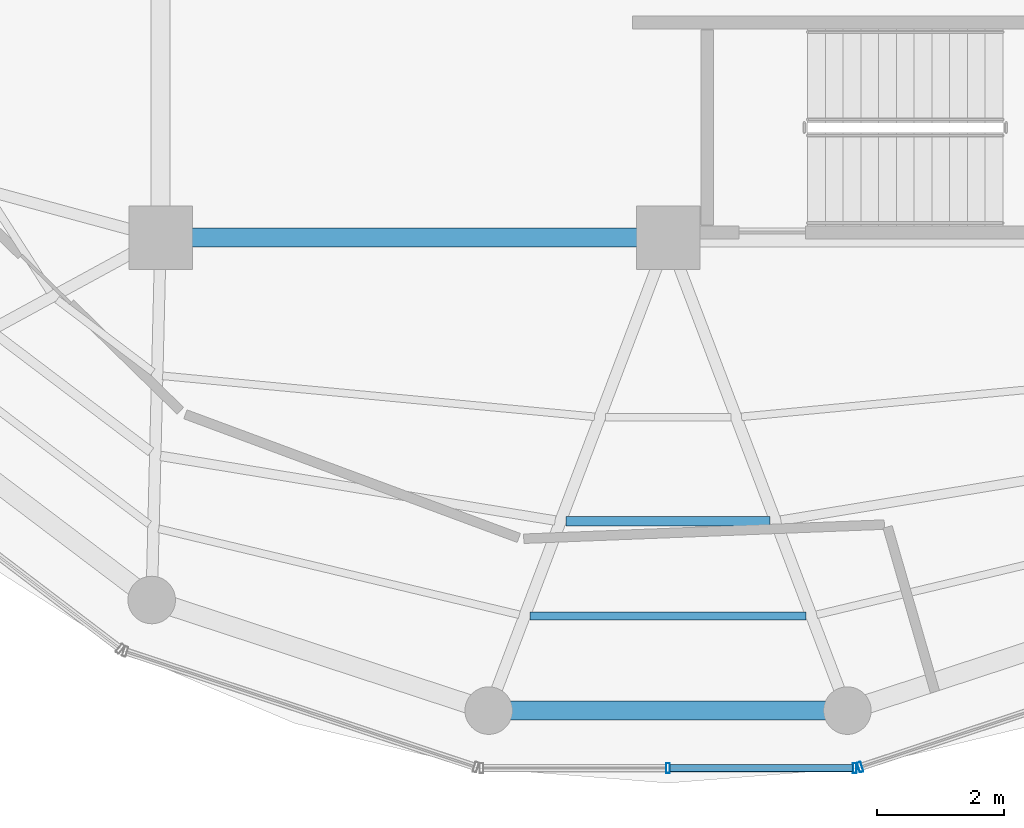
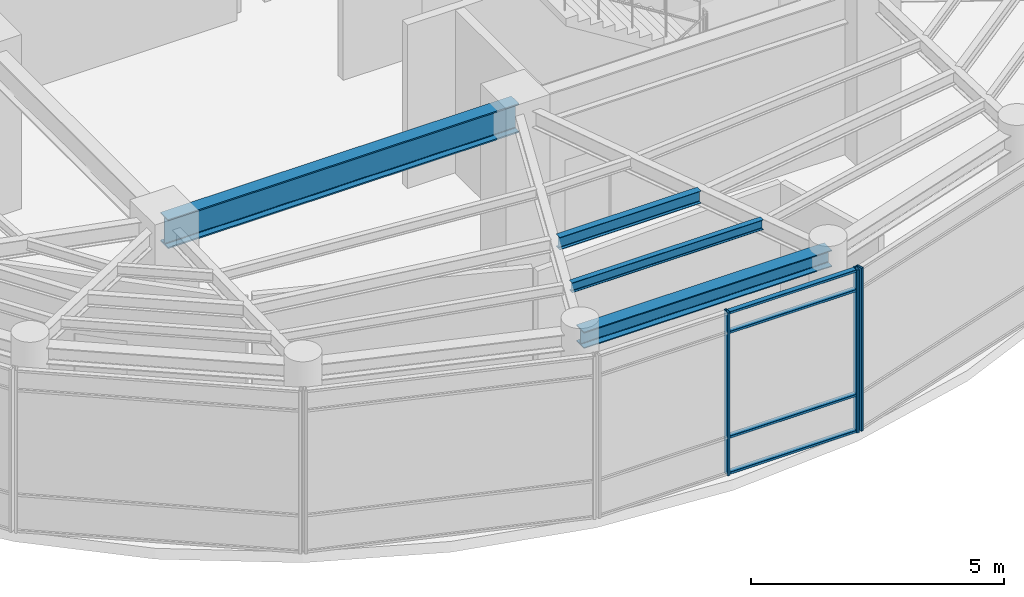
# One storey, part 5 of 19: 7 members, 4 beams, 2 elements without a shape of their own.
"""IFC4 building model written with IfcOpenShell, lengths in metres."""

from ifc_helpers import new_model, si_unit, direction, frame, origin, origin_2d, place, context, subcontext, project, spatial, hollow_rectangle, i_section, extrude, material, layer, layer_set, material_profile, profile_set, type_object, element, aggregate, save


model = new_model("IFC4")

# Units and contexts
model_context = context("Model", 3, precision=1e-05, world=origin(), true_north=direction((0.0, 1.0)))
body_context = subcontext(model_context, "Body", "Model", "MODEL_VIEW")
ifc_project = project(units=[si_unit("LENGTHUNIT", "METRE"), si_unit("AREAUNIT", "SQUARE_METRE"), si_unit("VOLUMEUNIT", "CUBIC_METRE"), si_unit("PLANEANGLEUNIT", "RADIAN"), si_unit("MASSUNIT", "GRAM", prefix="KILO")], contexts=[model_context])

# Site, building, storey
site_placement = place(None, origin())
site = spatial("IfcSite", under=ifc_project, at=site_placement, CompositionType="ELEMENT")
building_placement = place(site_placement, origin())
building = spatial("IfcBuilding", under=site, at=building_placement, Name="Kelanora Arch Commons", CompositionType="ELEMENT")
storey_placement = place(building_placement, frame((0.0, 0.0, 302.699951171875)))
storey = spatial("IfcBuildingStorey", under=building, at=storey_placement, Name="L77", CompositionType="ELEMENT", Elevation=302.699951171875)

# Beams
ifc_material_1 = material(Name="Steel S355", Category="steel")
ifc_material_profile_1 = material_profile(ifc_material_1, i_section(OverallWidth=0.300048828125, OverallDepth=0.699951171875, WebThickness=0.01708984375, FlangeThickness=0.031982421875, FilletRadius=0.027099609375, at=origin_2d()), Name="HEB700")
ifc_profile_set_1 = profile_set([ifc_material_profile_1], Name="Steel S355")
beam_type_1 = type_object("IfcBeamType", Name="BM-CORE-HDR", PredefinedType="BEAM", material=ifc_profile_set_1)
beam_1_placement = place(storey_placement, frame((66.0, 51.0, 3.590087890625), z_axis=(1.0, 0.0, 0.0), x_axis=(0.0, 1.0, 0.0)))
element("IfcBeam", 1, at=beam_1_placement, inside=storey, type_object=beam_type_1, Name="Core Header Beam 01 L77", PredefinedType="BEAM", context=body_context, shape_type="SweptSolid", body=[
    extrude(i_section(OverallWidth=0.300048828125, OverallDepth=0.699951171875, WebThickness=0.01708984375, FlangeThickness=0.031982421875, FilletRadius=0.027099609375, at=origin_2d()), origin(), (0.0, 0.0, 1.0), 8.0),
])
ifc_material_profile_2 = material_profile(ifc_material_1, i_section(OverallWidth=0.14990234375, OverallDepth=0.300048828125, WebThickness=0.007080078125, FlangeThickness=0.0107421875, FilletRadius=0.014892578125, at=origin_2d()), Name="IPE300")
ifc_profile_set_2 = profile_set([ifc_material_profile_2], Name="Steel S355")
beam_type_2 = type_object("IfcBeamType", Name="BM-JST-01", PredefinedType="JOIST", material=ifc_profile_set_2)
beam_2_placement = place(storey_placement, frame((72.388916015625, 46.52587890625, 3.7900390625), z_axis=(1.0, 0.0, 0.0), x_axis=(0.0, 1.0, 0.0)))
element("IfcBeam", 2, at=beam_2_placement, inside=storey, type_object=beam_type_2, Name="Secondary Chord Joist BJB-26 L77", PredefinedType="JOIST", context=body_context, shape_type="SweptSolid", body=[
    extrude(i_section(OverallWidth=0.14990234375, OverallDepth=0.300048828125, WebThickness=0.007080078125, FlangeThickness=0.0107421875, FilletRadius=0.014892578125, at=origin_2d()), origin(), (0.0, 0.0, 1.0), 3.22216796875),
])
ifc_material_profile_3 = material_profile(ifc_material_1, i_section(OverallWidth=0.1201171875, OverallDepth=0.239990234375, WebThickness=0.006103515625, FlangeThickness=0.009765625, FilletRadius=0.014892578125, at=origin_2d()), Name="IPE240")
ifc_profile_set_3 = profile_set([ifc_material_profile_3], Name="Steel S355")
beam_type_3 = type_object("IfcBeamType", Name="BM-JST-02", PredefinedType="JOIST", material=ifc_profile_set_3)
beam_3_placement = place(storey_placement, frame((71.823486328125, 45.034423828125, 3.820068359375), z_axis=(1.0, 0.0, 0.0), x_axis=(0.0, 1.0, 0.0)))
element("IfcBeam", 3, at=beam_3_placement, inside=storey, type_object=beam_type_3, Name="Secondary Chord Joist BJC-26 L77", PredefinedType="JOIST", context=body_context, shape_type="SweptSolid", body=[
    extrude(i_section(OverallWidth=0.1201171875, OverallDepth=0.239990234375, WebThickness=0.006103515625, FlangeThickness=0.009765625, FilletRadius=0.014892578125, at=origin_2d()), origin(), (0.0, 0.0, 1.0), 4.35302734375),
])
ifc_material_profile_4 = material_profile(ifc_material_1, i_section(OverallWidth=0.300048828125, OverallDepth=0.39990234375, WebThickness=0.013427734375, FlangeThickness=0.02392578125, FilletRadius=0.027099609375, at=origin_2d()), Name="HEB400")
ifc_profile_set_4 = profile_set([ifc_material_profile_4], Name="Steel S355")
beam_type_4 = type_object("IfcBeamType", Name="BM-SPN-Z4", PredefinedType="SPANDREL", material=ifc_profile_set_4)
beam_4_placement = place(storey_placement, frame((71.173095703125, 43.54296875, 3.739990234375), z_axis=(1.0, 0.0, 0.0), x_axis=(0.0, 1.0, 0.0)))
element("IfcBeam", 4, at=beam_4_placement, inside=storey, type_object=beam_type_4, Name="Perimeter Spandrel Beam BS-26 L77", PredefinedType="SPANDREL", context=body_context, shape_type="SweptSolid", body=[
    extrude(i_section(OverallWidth=0.300048828125, OverallDepth=0.39990234375, WebThickness=0.013427734375, FlangeThickness=0.02392578125, FilletRadius=0.027099609375, at=origin_2d()), origin(), (0.0, 0.0, 1.0), 5.65380859375),
])

# Curtain wall, members
ifc_material_2 = material(Name="Terracotta ceramic-fritted low-E glass and aluminium", Category="masonry")
ifc_layer = layer(ifc_material_2, 0.14990234375)
ifc_layer_set = layer_set([ifc_layer], Name="Terracotta ceramic-fritted low-E glass and aluminium")
curtain_wall_type = type_object("IfcCurtainWallType", Name="CW-SYS-06", PredefinedType="NOTDEFINED", material=ifc_layer_set)
curtain_wall_1_placement = place(storey_placement, origin())
curtain_wall_1 = element("IfcCurtainWall", 5, at=curtain_wall_1_placement, inside=storey, type_object=curtain_wall_type, Name="Unitised Curtain Wall L77-B13", PredefinedType="NOTDEFINED")
ifc_material_3 = material(Name="Powder-coated aluminium terracotta", Category="masonry")
ifc_material_profile_5 = material_profile(ifc_material_3, hollow_rectangle(XDim=0.159912109375, YDim=0.06005859375, WallThickness=0.0048828125, InnerFilletRadius=0.0048828125, OuterFilletRadius=0.010009765625, at=origin_2d()), Name="CWM160x60")
ifc_profile_set_5 = profile_set([ifc_material_profile_5], Name="Powder-coated aluminium terracotta")
member_type_1 = type_object("IfcMemberType", Name="CWM-STD", PredefinedType="MULLION", material=ifc_profile_set_5)
member_1_placement = place(storey_placement, frame((74.0, 42.636962890625, 0.0), z_axis=(0.0, 0.0, 1.0), x_axis=(0.0, 1.0, 0.0)))
member_1 = element("IfcMember", 6, at=member_1_placement, type_object=member_type_1, Name="CW-06 mullion 2", PredefinedType="MULLION", context=body_context, shape_type="SweptSolid", body=[
    extrude(hollow_rectangle(XDim=0.159912109375, YDim=0.06005859375, WallThickness=0.0048828125, InnerFilletRadius=0.0048828125, OuterFilletRadius=0.010009765625, at=origin_2d()), origin(), (0.0, 0.0, 1.0), 3.925048828125),
])
member_2_placement = place(storey_placement, frame((76.941650390625, 42.636962890625, 0.0), z_axis=(0.0, 0.0, 1.0), x_axis=(0.0, 1.0, 0.0)))
member_2 = element("IfcMember", 7, at=member_2_placement, type_object=member_type_1, Name="CW-06 mullion 3", PredefinedType="MULLION", context=body_context, shape_type="SweptSolid", body=[
    extrude(hollow_rectangle(XDim=0.159912109375, YDim=0.06005859375, WallThickness=0.0048828125, InnerFilletRadius=0.0048828125, OuterFilletRadius=0.010009765625, at=origin_2d()), origin(), (0.0, 0.0, 1.0), 3.925048828125),
])

# Curtain wall, member
curtain_wall_2_placement = place(storey_placement, origin())
curtain_wall_2 = element("IfcCurtainWall", 8, at=curtain_wall_2_placement, inside=storey, type_object=curtain_wall_type, Name="Unitised Curtain Wall L77-B14", PredefinedType="NOTDEFINED")
member_3_placement = place(storey_placement, frame((77.029296875, 42.651123046875, 0.0), z_axis=(0.0, 0.0, 1.0), x_axis=(-0.313466845323, 0.949599145368, 0.0)))
member_3 = element("IfcMember", 9, at=member_3_placement, type_object=member_type_1, Name="CW-06 mullion 1", PredefinedType="MULLION", context=body_context, shape_type="SweptSolid", body=[
    extrude(hollow_rectangle(XDim=0.159912109375, YDim=0.06005859375, WallThickness=0.0048828125, InnerFilletRadius=0.0048828125, OuterFilletRadius=0.010009765625, at=origin_2d()), origin(), (0.0, 0.0, 1.0), 3.925048828125),
])
aggregate(curtain_wall_2, [member_3])

# Member
ifc_material_profile_6 = material_profile(ifc_material_3, hollow_rectangle(XDim=0.1201171875, YDim=0.06005859375, WallThickness=0.0048828125, InnerFilletRadius=0.0048828125, OuterFilletRadius=0.010009765625, at=origin_2d()), Name="CWT120x60")
ifc_profile_set_6 = profile_set([ifc_material_profile_6], Name="Powder-coated aluminium terracotta")
member_type_2 = type_object("IfcMemberType", Name="CWT-STD", PredefinedType="USERDEFINED", material=ifc_profile_set_6)
member_4_placement = place(storey_placement, frame((74.030029296875, 42.636962890625, 0.030029296875), z_axis=(1.0, 0.0, 0.0), x_axis=(0.0, 1.0, 0.0)))
member_4 = element("IfcMember", 10, at=member_4_placement, type_object=member_type_2, Name="CW-06 transom 2.1", ObjectType="TRANSOM", PredefinedType="USERDEFINED", context=body_context, shape_type="SweptSolid", body=[
    extrude(hollow_rectangle(XDim=0.1201171875, YDim=0.06005859375, WallThickness=0.0048828125, InnerFilletRadius=0.0048828125, OuterFilletRadius=0.010009765625, at=origin_2d()), origin(), (0.0, 0.0, 1.0), 2.881591796875),
])

member_5_placement = place(storey_placement, frame((74.030029296875, 42.636962890625, 0.900146484375), z_axis=(1.0, 0.0, 0.0), x_axis=(0.0, 1.0, 0.0)))
member_5 = element("IfcMember", 11, at=member_5_placement, type_object=member_type_2, Name="CW-06 transom 2.2", ObjectType="TRANSOM", PredefinedType="USERDEFINED", context=body_context, shape_type="SweptSolid", body=[
    extrude(hollow_rectangle(XDim=0.1201171875, YDim=0.06005859375, WallThickness=0.0048828125, InnerFilletRadius=0.0048828125, OuterFilletRadius=0.010009765625, at=origin_2d()), origin(), (0.0, 0.0, 1.0), 2.881591796875),
])

member_6_placement = place(storey_placement, frame((74.030029296875, 42.636962890625, 3.425048828125), z_axis=(1.0, 0.0, 0.0), x_axis=(0.0, 1.0, 0.0)))
member_6 = element("IfcMember", 12, at=member_6_placement, type_object=member_type_2, Name="CW-06 transom 2.3", ObjectType="TRANSOM", PredefinedType="USERDEFINED", context=body_context, shape_type="SweptSolid", body=[
    extrude(hollow_rectangle(XDim=0.1201171875, YDim=0.06005859375, WallThickness=0.0048828125, InnerFilletRadius=0.0048828125, OuterFilletRadius=0.010009765625, at=origin_2d()), origin(), (0.0, 0.0, 1.0), 2.881591796875),
])

member_7_placement = place(storey_placement, frame((74.030029296875, 42.636962890625, 3.89501953125), z_axis=(1.0, 0.0, 0.0), x_axis=(0.0, 1.0, 0.0)))
member_7 = element("IfcMember", 13, at=member_7_placement, type_object=member_type_2, Name="CW-06 transom 2.4", ObjectType="TRANSOM", PredefinedType="USERDEFINED", context=body_context, shape_type="SweptSolid", body=[
    extrude(hollow_rectangle(XDim=0.1201171875, YDim=0.06005859375, WallThickness=0.0048828125, InnerFilletRadius=0.0048828125, OuterFilletRadius=0.010009765625, at=origin_2d()), origin(), (0.0, 0.0, 1.0), 2.881591796875),
])

aggregate(curtain_wall_1, [member_1, member_2, member_4, member_5, member_6, member_7])

save(model, "model.ifc")
